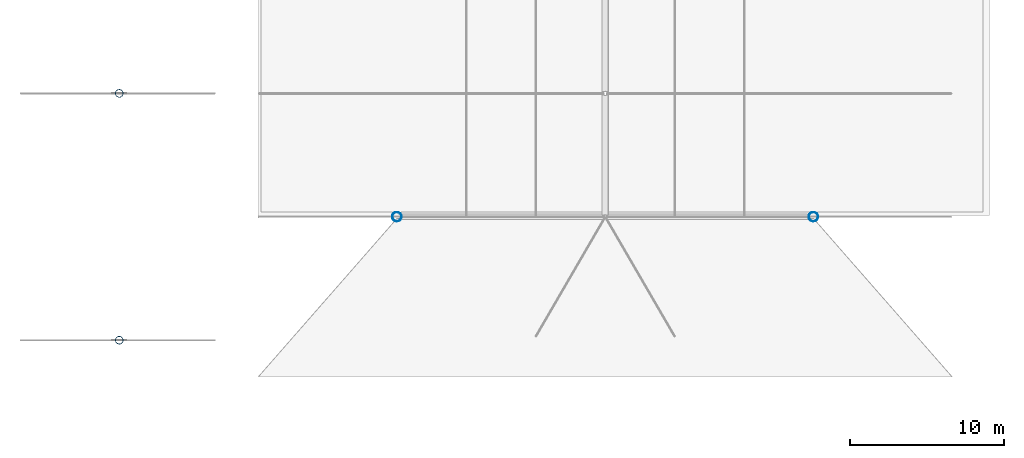
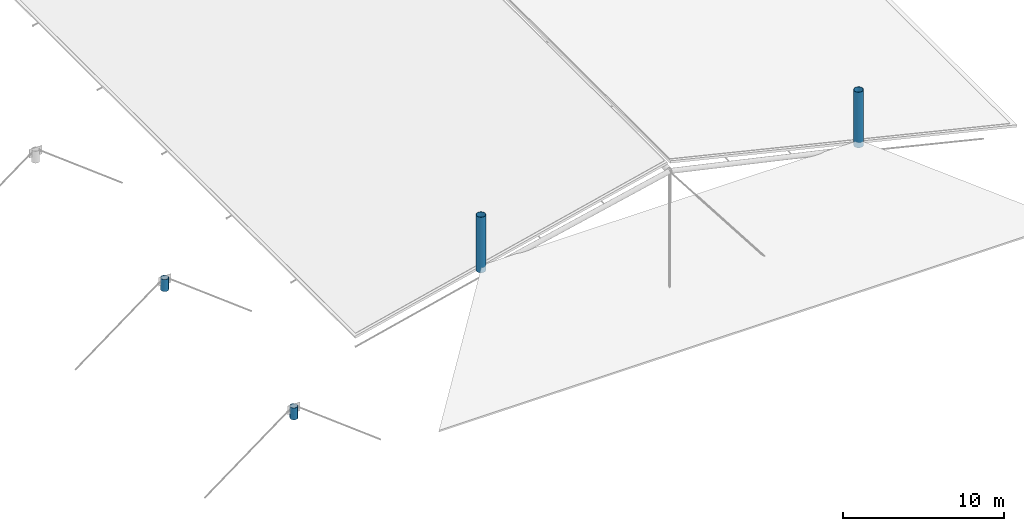
# One storey, part 1 of 71: 4 columns.
"""IFC4 building model written with IfcOpenShell, lengths in metres."""

from ifc_helpers import new_model, si_unit, derived_unit, direction, frame, origin, origin_2d, place, context, subcontext, project, spatial, hollow_circle, extrude, material, material_profile, profile_set, type_object, element, save


model = new_model("IFC4")

# Units and contexts
model_context = context("Model", 3, precision=1e-05, world=origin(), true_north=direction((0.0, 1.0)))
body_context = subcontext(model_context, "Body", "Model", "MODEL_VIEW")
ifc_project = project(units=[si_unit("LENGTHUNIT", "METRE"), si_unit("AREAUNIT", "SQUARE_METRE"), si_unit("VOLUMEUNIT", "CUBIC_METRE"), si_unit("PLANEANGLEUNIT", "RADIAN"), si_unit("MASSUNIT", "GRAM", prefix="KILO"), derived_unit("THERMALTRANSMITTANCEUNIT", [(si_unit("MASSUNIT", "GRAM", prefix="KILO"), 1), (si_unit("TIMEUNIT", "SECOND"), -3), (si_unit("THERMODYNAMICTEMPERATUREUNIT", "KELVIN"), -1)])], contexts=[model_context])

# Site, building, storey
site_placement = place(None, origin())
site = spatial("IfcSite", under=ifc_project, at=site_placement, CompositionType="ELEMENT")
building_placement = place(site_placement, origin())
building = spatial("IfcBuilding", under=site, at=building_placement, Name="Zhenchuan Archway Interchange", CompositionType="ELEMENT")
storey_placement = place(building_placement, frame((0.0, 0.0, 18.60009765625)))
storey = spatial("IfcBuildingStorey", under=building, at=storey_placement, Name="L04", CompositionType="ELEMENT", Elevation=18.60009765625)

# Columns
ifc_material = material(Name="Steel Q390", Category="steel")
ifc_material_profile_1 = material_profile(ifc_material, hollow_circle(Radius=0.25390625, WallThickness=0.01611328125, at=origin_2d()), Name="CHS 508x16")
ifc_profile_set_1 = profile_set([ifc_material_profile_1], Name="Steel Q390")
column_type_1 = type_object("IfcColumnType", Name="COL_STL_CHS508", PredefinedType="COLUMN", material=ifc_profile_set_1)
for number, where, z_axis, x_axis, name in (
    (1, (18.0, 24.0, 0.0), (0.0, 0.0, 1.0), (1.0, 0.0, 0.0), "Column 3/D (L04)"),
    (2, (18.0, 40.0, 0.0), (0.0, 0.0, 1.0), (1.0, 0.0, 0.0), "Column 3/F (L04)"),
):
    element("IfcColumn", number, at=place(storey_placement, frame(where, z_axis=z_axis, x_axis=x_axis)), inside=storey, type_object=column_type_1, Name=name, PredefinedType="COLUMN", context=body_context, shape_type="SweptSolid", body=[
        extrude(hollow_circle(Radius=0.25390625, WallThickness=0.01611328125, at=origin_2d()), origin(), (0.0, 0.0, 1.0), 0.89990234375),
    ])
ifc_material_profile_2 = material_profile(ifc_material, hollow_circle(Radius=0.304931640625, WallThickness=0.02001953125, at=origin_2d()), Name="CHS 610x20")
ifc_profile_set_2 = profile_set([ifc_material_profile_2], Name="Steel Q390")
column_type_2 = type_object("IfcColumnType", Name="COL_STL_CHS610", PredefinedType="COLUMN", material=ifc_profile_set_2)
for number, where, z_axis, x_axis, name in (
    (3, (36.0, 32.0, 0.0), (0.0, 0.0, 1.0), (1.0, 0.0, 0.0), "Column 5/E (L04)"),
    (4, (63.0, 32.0, 0.0), (0.0, 0.0, 1.0), (1.0, 0.0, 0.0), "Column 8/E (L04)"),
):
    element("IfcColumn", number, at=place(storey_placement, frame(where, z_axis=z_axis, x_axis=x_axis)), inside=storey, type_object=column_type_2, Name=name, PredefinedType="COLUMN", context=body_context, shape_type="SweptSolid", body=[
        extrude(hollow_circle(Radius=0.304931640625, WallThickness=0.02001953125, at=origin_2d()), origin(), (0.0, 0.0, 1.0), 4.199951171875),
    ])

save(model, "model.ifc")
